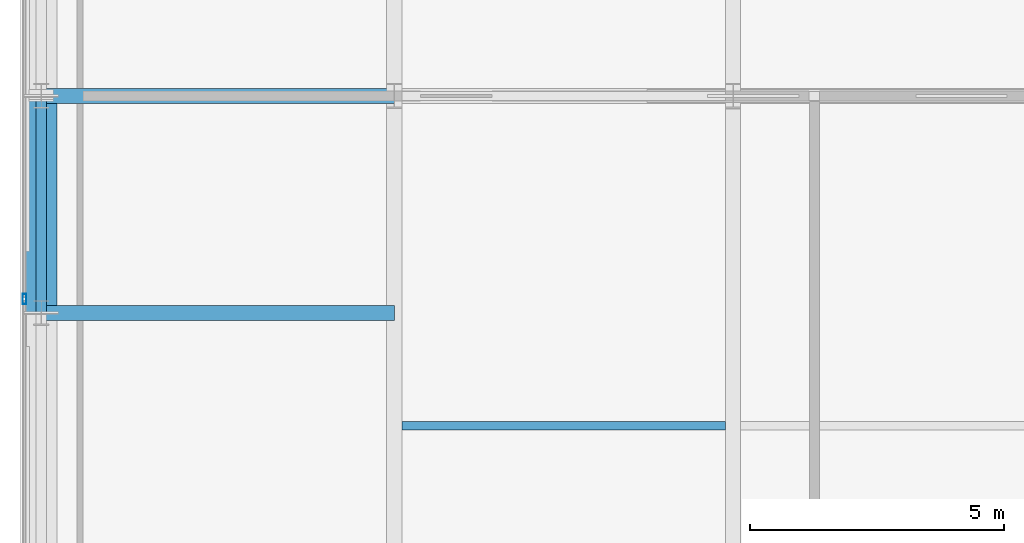
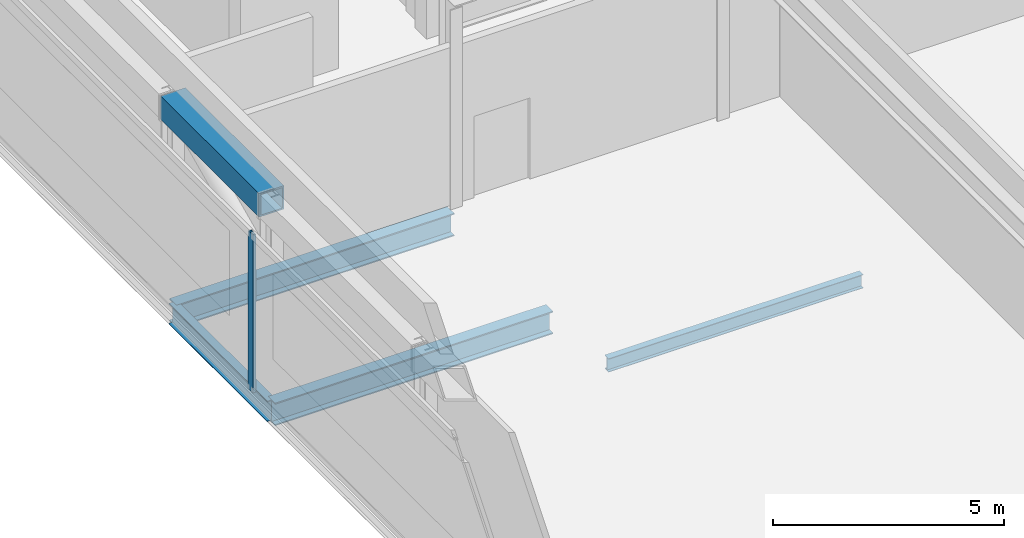
# One storey, part 8 of 24: 5 beams, 1 member, 1 element without a shape of its own.
"""IFC4 building model written with IfcOpenShell, lengths in metres."""

import ifcopenshell
import ifcopenshell.guid

model = None  # the IFC model being written
_history = None  # IfcOwnerHistory: only IFC2X3 demands one
_inside = {}  # id of a spatial element -> (the spatial element, [elements in it])
_under = {}  # id of a project, library or spatial element -> (it, [spatial elements below it])
_declared = {}  # id of a project -> (the project, [libraries it declares])
_typed = {}  # id of a type object -> (the type object, [elements of that type])
_made_of = {}  # id of a material, layer set ... -> (it, [elements and type objects made of it])


def new_model(schema):
    """Start an empty IFC model of exactly this schema.

    Asked for "IFC4X3", IfcOpenShell would pick the latest addendum, in which some entities
    have other attributes; the version numbers below select the first issue.
    IFC2X3 requires an IfcOwnerHistory on every rooted entity: one is made here for all.
    """
    global model, _history
    if schema == "IFC4X3":
        model = ifcopenshell.file(schema_version=(4, 3, 0, 0))
    else:
        model = ifcopenshell.file(schema=schema)
    _inside.clear()
    _under.clear()
    _declared.clear()
    _typed.clear()
    _made_of.clear()
    _history = None
    if model.schema == "IFC2X3":
        org = make("IfcOrganization", Name="unknown")
        user = make(
            "IfcPersonAndOrganization",
            ThePerson=make("IfcPerson", FamilyName="unknown"),
            TheOrganization=org,
        )
        app = make(
            "IfcApplication",
            ApplicationDeveloper=org,
            Version="unknown",
            ApplicationFullName="unknown",
            ApplicationIdentifier="unknown",
        )
        _history = make(
            "IfcOwnerHistory",
            OwningUser=user,
            OwningApplication=app,
            ChangeAction="ADDED",
            CreationDate=0,
        )
    return model


def make(cls, **values):
    """One entity of the class cls with the attributes given. An attribute that is None is left unset."""
    return model.create_entity(
        cls, **{name: value for name, value in values.items() if value is not None}
    )


def rooted(cls, **values):
    """An entity with a GlobalId (a new one), such as an element, a storey or a relation."""
    return make(cls, GlobalId=ifcopenshell.guid.new(), OwnerHistory=_history, **values)


def si_unit(unit_type, name, prefix=None):
    """IfcSIUnit, for example si_unit("LENGTHUNIT", "METRE", prefix="MILLI")."""
    return make("IfcSIUnit", UnitType=unit_type, Prefix=prefix, Name=name)


def assignment(units):
    """IfcUnitAssignment: the units of a project."""
    return None if units is None else make("IfcUnitAssignment", Units=units)


def point(xyz):
    """IfcCartesianPoint."""
    return None if xyz is None else make("IfcCartesianPoint", Coordinates=xyz)


def direction(xyz):
    """IfcDirection."""
    return None if xyz is None else make("IfcDirection", DirectionRatios=xyz)


def frame(location, z_axis=None, x_axis=None):
    """IfcAxis2Placement3D, a coordinate frame: its origin and axes. An axis left out is left unset."""
    return make(
        "IfcAxis2Placement3D",
        Location=point(location),
        Axis=direction(z_axis),
        RefDirection=direction(x_axis),
    )


def frame_2d(location, x_axis=None):
    """IfcAxis2Placement2D, a coordinate frame in the plane: its origin and x axis."""
    return make(
        "IfcAxis2Placement2D", Location=point(location), RefDirection=direction(x_axis)
    )


def origin():
    """The frame at (0, 0, 0) with its axes left unset."""
    return frame((0.0, 0.0, 0.0))


def origin_2d():
    """The frame at (0, 0) in the plane with its x axis left unset."""
    return frame_2d((0.0, 0.0))


def place(relative_to, where):
    """IfcLocalPlacement: puts the frame where relative to a parent placement (None: the world)."""
    return make(
        "IfcLocalPlacement", PlacementRelTo=relative_to, RelativePlacement=where
    )


def context(
    kind, dimensions, precision=None, world=None, true_north=None, identifier=None
):
    """IfcGeometricRepresentationContext, for example the 3D "Model" context."""
    return make(
        "IfcGeometricRepresentationContext",
        ContextIdentifier=identifier,
        ContextType=kind,
        CoordinateSpaceDimension=dimensions,
        Precision=precision,
        WorldCoordinateSystem=world,
        TrueNorth=true_north,
    )


def subcontext(parent, identifier, kind, view, scale=None):
    """IfcGeometricRepresentationSubContext, for example "Body" below "Model"."""
    return make(
        "IfcGeometricRepresentationSubContext",
        ContextIdentifier=identifier,
        ContextType=kind,
        ParentContext=parent,
        TargetScale=scale,
        TargetView=view,
    )


def project(units=None, contexts=None):
    """IfcProject with its units and contexts."""
    return rooted(
        "IfcProject",
        Name="project",
        RepresentationContexts=contexts,
        UnitsInContext=assignment(units),
    )


def spatial(cls, under=None, at=None, **own):
    """A site, building, storey or space (cls), placed at a placement, below another one or the project."""
    s = rooted(cls, ObjectPlacement=at, **own)
    if under is not None:
        _under.setdefault(under.id(), (under, []))[1].append(s)
    return s


def profile(cls, at=None, kind="AREA", **sizes):
    """A parametric profile (cls). Its sizes go by their IFC names, for example OverallWidth=200.0."""
    return make(cls, ProfileType=kind, Position=at, **sizes)


def hollow_rectangle(**sizes):
    """IfcRectangleHollowProfileDef."""
    return profile("IfcRectangleHollowProfileDef", **sizes)


def i_section(**sizes):
    """IfcIShapeProfileDef."""
    return profile("IfcIShapeProfileDef", **sizes)


def extrude(swept, where, along, depth):
    """IfcExtrudedAreaSolid: the profile swept, set in the frame where, extruded along a direction by depth."""
    return make(
        "IfcExtrudedAreaSolid",
        SweptArea=swept,
        Position=where,
        ExtrudedDirection=direction(along),
        Depth=depth,
    )


def shape(context_of_items, identifier, shape_type, items):
    """IfcShapeRepresentation: the items that make up one representation, for example the "Body"."""
    return make(
        "IfcShapeRepresentation",
        ContextOfItems=context_of_items,
        RepresentationIdentifier=identifier,
        RepresentationType=shape_type,
        Items=items,
    )


def material(Name=None, Category=None):
    """IfcMaterial."""
    return make("IfcMaterial", Name=Name, Category=Category)


def material_profile(
    of_material, cross_section, Name=None, Category=None, Priority=None
):
    """IfcMaterialProfile: a cross section and its material."""
    return make(
        "IfcMaterialProfile",
        Name=Name,
        Material=of_material,
        Profile=cross_section,
        Priority=Priority,
        Category=Category,
    )


def profile_set(profiles, Name=None, composite=None):
    """IfcMaterialProfileSet."""
    return make(
        "IfcMaterialProfileSet",
        Name=Name,
        MaterialProfiles=profiles,
        CompositeProfile=composite,
    )


def made_of(thing, what):
    """Note that an element or type object is made of a material, layer set ...; save() writes the relation."""
    if what is not None:
        _made_of.setdefault(what.id(), (what, []))[1].append(thing)
    return thing


def type_object(cls, material=None, **own):
    """A type object (cls), such as IfcWallType, which elements share."""
    return made_of(rooted(cls, **own), material)


def element(
    cls,
    number,
    at=None,
    inside=None,
    cuts=None,
    type_object=None,
    material=None,
    context=None,
    identifier="Body",
    shape_type=None,
    held_by="IfcProductDefinitionShape",
    body=None,
    shapes=None,
    **own,
):
    """One element of the class cls, such as IfcWall. Its Tag is "e" and its number.

    at: its placement. inside: the storey or other place that contains it. cuts: it is an
    opening in that element (IfcRelVoidsElement). A single representation is given by context,
    identifier, shape_type and body (its items); several are given by shapes. held_by: the class
    of the entity that holds the representations. save() writes the other relations.
    """
    e = rooted(cls, Tag="e%d" % number, ObjectPlacement=at, **own)
    if body is not None:
        shapes = [shape(context, identifier, shape_type, body)]
    if shapes is not None:
        e.Representation = make(held_by, Representations=shapes)
    if inside is not None:
        _inside.setdefault(inside.id(), (inside, []))[1].append(e)
    if cuts is not None:
        rooted(
            "IfcRelVoidsElement", RelatingBuildingElement=cuts, RelatedOpeningElement=e
        )
    if type_object is not None:
        _typed.setdefault(type_object.id(), (type_object, []))[1].append(e)
    return made_of(e, material)


def aggregate(whole, parts):
    """IfcRelAggregates: a whole, such as a stair, and the parts it consists of."""
    return rooted("IfcRelAggregates", RelatingObject=whole, RelatedObjects=parts)


def save(model, path):
    """Write the relations noted so far, then the file.

    IfcRelAggregates (storeys below a building ...), IfcRelContainedInSpatialStructure (elements
    in a storey), IfcRelDefinesByType, IfcRelAssociatesMaterial and IfcRelDeclares: one each for
    every whole, place, type object, material and project.
    """
    for whole, parts in _under.values():
        aggregate(whole, parts)
    for where, things in _inside.values():
        rooted(
            "IfcRelContainedInSpatialStructure",
            RelatedElements=things,
            RelatingStructure=where,
        )
    for kind, things in _typed.values():
        rooted("IfcRelDefinesByType", RelatedObjects=things, RelatingType=kind)
    for what, things in _made_of.values():
        rooted("IfcRelAssociatesMaterial", RelatedObjects=things, RelatingMaterial=what)
    for by, libraries in _declared.values():
        rooted("IfcRelDeclares", RelatingContext=by, RelatedDefinitions=libraries)
    model.write(path)


model = new_model("IFC4")

# Units and contexts
model_context = context("Model", 3, precision=1e-05, world=origin(), true_north=direction((0.0, 1.0)))
body_context = subcontext(model_context, "Body", "Model", "MODEL_VIEW")
ifc_project = project(units=[si_unit("LENGTHUNIT", "METRE"), si_unit("AREAUNIT", "SQUARE_METRE"), si_unit("VOLUMEUNIT", "CUBIC_METRE"), si_unit("PLANEANGLEUNIT", "RADIAN"), si_unit("MASSUNIT", "GRAM", prefix="KILO")], contexts=[model_context])

# Site, building, storey
site_placement = place(None, origin())
site = spatial("IfcSite", under=ifc_project, at=site_placement, CompositionType="ELEMENT")
building_placement = place(site_placement, origin())
building = spatial("IfcBuilding", under=site, at=building_placement, Name="Khoronbel Lancet Exchange", CompositionType="ELEMENT")
storey_placement = place(building_placement, frame((0.0, 0.0, 378.60009765625)))
storey = spatial("IfcBuildingStorey", under=building, at=storey_placement, Name="L96", CompositionType="ELEMENT", Elevation=378.60009765625)

# Beams
ifc_material_1 = material(Name="Steel S355", Category="steel")
ifc_material_profile_1 = material_profile(ifc_material_1, i_section(OverallWidth=0.300048828125, OverallDepth=0.60009765625, WebThickness=0.015380859375, FlangeThickness=0.030029296875, at=origin_2d()), Name="HEB 600")
ifc_profile_set_1 = profile_set([ifc_material_profile_1], Name="Steel S355")
beam_type_1 = type_object("IfcBeamType", Name="BM-BG5", PredefinedType="BEAM", material=ifc_profile_set_1)
for number, where, z_axis, x_axis, name in (
    (1, (11.27001953125, 31.425048828125, -0.5), (1.0, 0.0, 0.0), (0.0, 1.0, 0.0), "Level L96 west lens tie girder LG2W"),
    (2, (11.27001953125, 35.699951171875, -0.5), (1.0, 0.0, 0.0), (0.0, 1.0, 0.0), "Level L96 west lens tie girder LG4W"),
):
    element("IfcBeam", number, at=place(storey_placement, frame(where, z_axis=z_axis, x_axis=x_axis)), inside=storey, type_object=beam_type_1, Name=name, PredefinedType="BEAM", context=body_context, shape_type="SweptSolid", body=[
        extrude(i_section(OverallWidth=0.300048828125, OverallDepth=0.60009765625, WebThickness=0.015380859375, FlangeThickness=0.030029296875, at=origin_2d()), origin(), (0.0, 0.0, 1.0), 6.955078125),
    ])
ifc_material_profile_2 = material_profile(ifc_material_1, i_section(OverallWidth=0.169921875, OverallDepth=0.360107421875, WebThickness=0.008056640625, FlangeThickness=0.0126953125, at=origin_2d()), Name="IPE 360")
ifc_profile_set_2 = profile_set([ifc_material_profile_2], Name="Steel S355")
beam_type_2 = type_object("IfcBeamType", Name="BM-BJ6", PredefinedType="JOIST", material=ifc_profile_set_2)
beam_1_placement = place(storey_placement, frame((18.375, 29.199951171875, -0.380126953125), z_axis=(1.0, 0.0, 0.0), x_axis=(0.0, 1.0, 0.0)))
element("IfcBeam", 3, at=beam_1_placement, inside=storey, type_object=beam_type_2, Name="Level L96 secondary composite joist J07", PredefinedType="JOIST", context=body_context, shape_type="SweptSolid", body=[
    extrude(i_section(OverallWidth=0.169921875, OverallDepth=0.360107421875, WebThickness=0.008056640625, FlangeThickness=0.0126953125, at=origin_2d()), origin(), (0.0, 0.0, 1.0), 6.375),
])
ifc_material_profile_3 = material_profile(ifc_material_1, i_section(OverallWidth=0.2099609375, OverallDepth=0.550048828125, WebThickness=0.010986328125, FlangeThickness=0.01708984375, at=origin_2d()), Name="IPE 550")
ifc_profile_set_3 = profile_set([ifc_material_profile_3], Name="Steel S355")
beam_type_3 = type_object("IfcBeamType", Name="BM-BSP3", PredefinedType="SPANDREL", material=ifc_profile_set_3)
beam_2_placement = place(storey_placement, frame((11.27001953125, 35.699951171875, -0.47509765625), z_axis=(0.0, -1.0, 0.0), x_axis=(1.0, 0.0, 0.0)))
element("IfcBeam", 4, at=beam_2_placement, inside=storey, type_object=beam_type_3, Name="Level L96 perimeter spandrel beam SP16", PredefinedType="SPANDREL", context=body_context, shape_type="SweptSolid", body=[
    extrude(i_section(OverallWidth=0.2099609375, OverallDepth=0.550048828125, WebThickness=0.010986328125, FlangeThickness=0.01708984375, at=origin_2d()), origin(), (0.0, 0.0, 1.0), 4.27490234375),
])
ifc_material_profile_4 = material_profile(ifc_material_1, hollow_rectangle(XDim=0.6201171875, YDim=0.6201171875, WallThickness=0.0400390625, at=origin_2d()), Name="BOX 620x620x40")
ifc_profile_set_4 = profile_set([ifc_material_profile_4], Name="Steel S355")
beam_type_4 = type_object("IfcBeamType", Name="BM-RB1", PredefinedType="USERDEFINED", material=ifc_profile_set_4)
beam_3_placement = place(storey_placement, frame((11.27001953125, 35.699951171875, 5.0498046875), z_axis=(0.0, -1.0, 0.0), x_axis=(1.0, 0.0, 0.0)))
element("IfcBeam", 5, at=beam_3_placement, inside=storey, type_object=beam_type_4, Name="CROWN FRAME top ring cap beam RB18", ObjectType="RING BEAM", PredefinedType="USERDEFINED", context=body_context, shape_type="SweptSolid", body=[
    extrude(hollow_rectangle(XDim=0.6201171875, YDim=0.6201171875, WallThickness=0.0400390625, at=origin_2d()), origin(), (0.0, 0.0, 1.0), 4.27490234375),
])

# Curtain wall, member
ifc_material_2 = material(Name="Low-E Solar Control Insulating Glass", Category="glass")
curtain_wall_type = type_object("IfcCurtainWallType", Name="CW-6", PredefinedType="NOTDEFINED", material=ifc_material_2)
curtain_wall_placement = place(storey_placement, origin())
curtain_wall = element("IfcCurtainWall", 6, at=curtain_wall_placement, inside=storey, type_object=curtain_wall_type, Name="Unitised curtain wall CW-L96-E03", PredefinedType="NOTDEFINED")
ifc_material_3 = material(Name="Bronze-Anodised Aluminium 6063-T6", Category="aluminium")
ifc_material_profile_5 = material_profile(ifc_material_3, hollow_rectangle(XDim=0.074951171875, YDim=0.199951171875, WallThickness=0.0048828125, at=origin_2d()), Name="ALU MULLION 75x200")
ifc_profile_set_5 = profile_set([ifc_material_profile_5], Name="Bronze-Anodised Aluminium 6063-T6")
member_type = type_object("IfcMemberType", Name="MEM-CWM2", PredefinedType="MULLION", material=ifc_profile_set_5)
member_placement = place(storey_placement, frame((10.93994140625, 31.699951171875, 0.0), z_axis=(0.0, 0.0, 1.0), x_axis=(-1.0, 0.0, 0.0)))
member = element("IfcMember", 7, at=member_placement, type_object=member_type, Name="CW6 mullion 2", PredefinedType="MULLION", context=body_context, shape_type="SweptSolid", body=[
    extrude(hollow_rectangle(XDim=0.074951171875, YDim=0.199951171875, WallThickness=0.0048828125, at=origin_2d()), origin(), (0.0, 0.0, 1.0), 4.179931640625),
])
aggregate(curtain_wall, [member])

save(model, "model.ifc")
